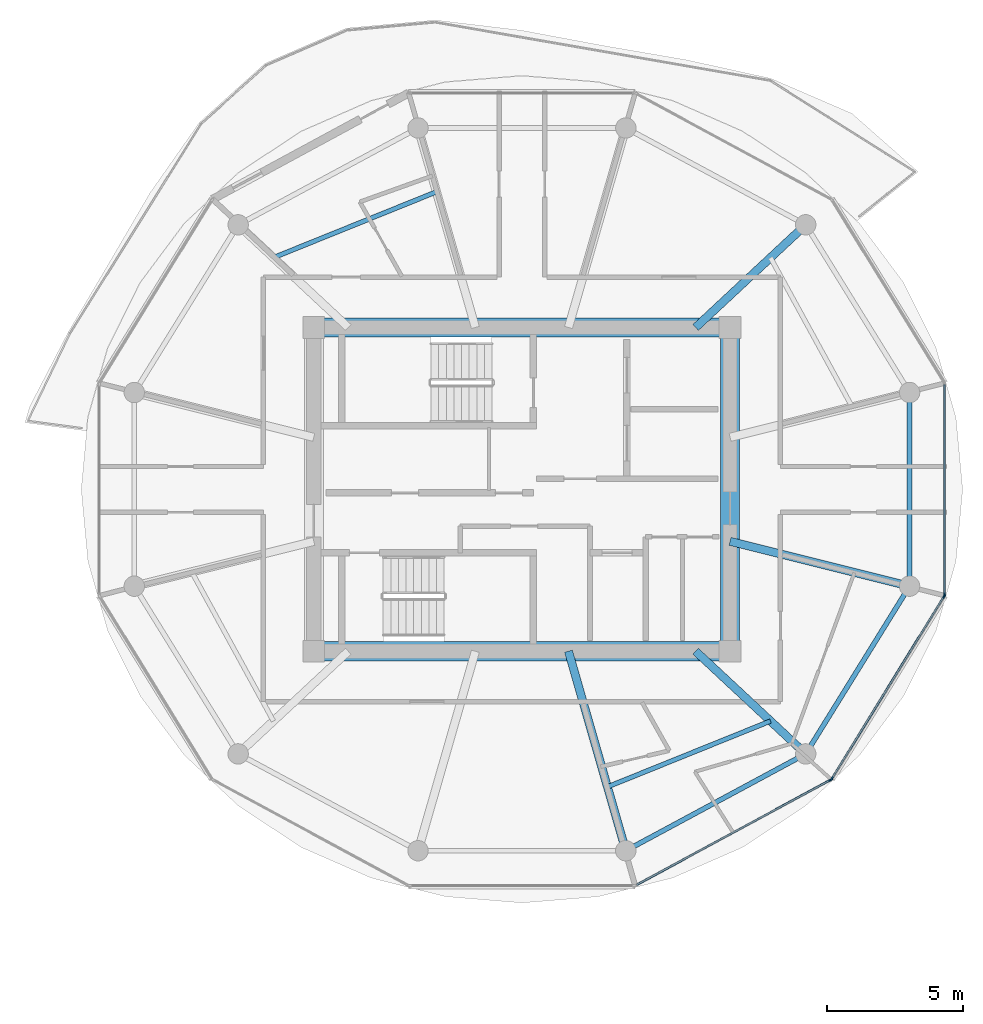
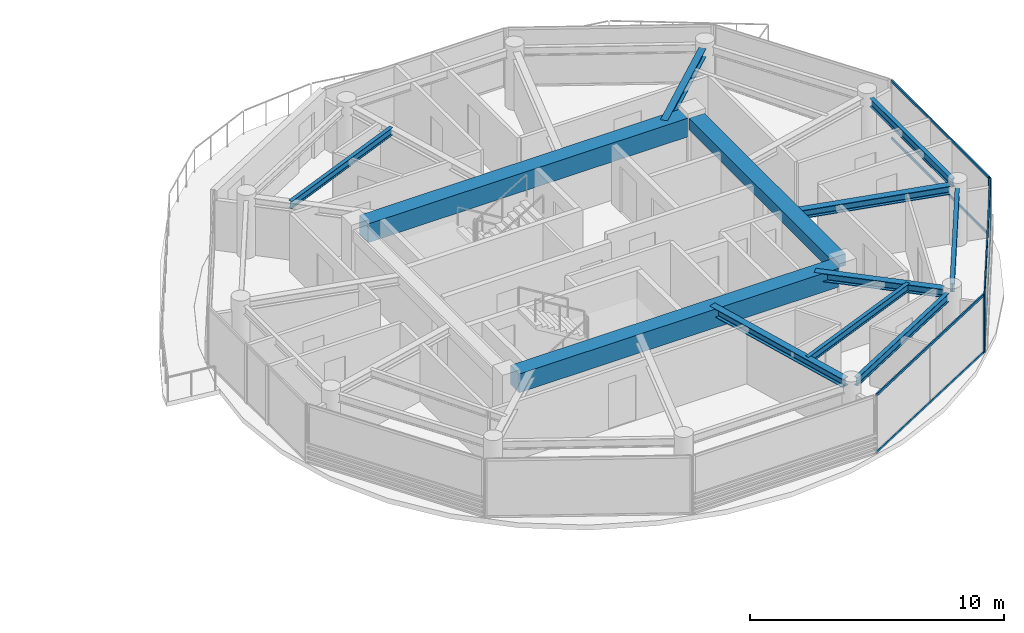
# One storey, part 6 of 19: 12 beams, 10 members, 3 elements without a shape of their own.
"""IFC4 building model written with IfcOpenShell, lengths in metres."""

from ifc_helpers import new_model, si_unit, direction, frame, origin, origin_2d, place, context, subcontext, project, spatial, rectangle, i_section, extrude, source, transform, mapped, material, layer, layer_set, material_profile, profile_set, type_object, type_shapes, element, aggregate, save


model = new_model("IFC4")

# Units and contexts
model_context = context("Model", 3, precision=1e-05, world=origin(), true_north=direction((0.0, 1.0)))
body_context = subcontext(model_context, "Body", "Model", "MODEL_VIEW")
ifc_project = project(units=[si_unit("LENGTHUNIT", "METRE"), si_unit("AREAUNIT", "SQUARE_METRE"), si_unit("VOLUMEUNIT", "CUBIC_METRE"), si_unit("PLANEANGLEUNIT", "RADIAN"), si_unit("MASSUNIT", "GRAM", prefix="KILO")], contexts=[model_context])

# Site, building, storey
site_placement = place(None, origin())
site = spatial("IfcSite", under=ifc_project, at=site_placement, CompositionType="ELEMENT")
building_placement = place(site_placement, origin())
building = spatial("IfcBuilding", under=site, at=building_placement, Name="Norrkilde Senior Care Towers", CompositionType="ELEMENT")
storey_placement = place(building_placement, frame((0.0, 0.0, 238.300048828125)))
storey = spatial("IfcBuildingStorey", under=building, at=storey_placement, Name="L74", CompositionType="ELEMENT", Elevation=238.300048828125)

# Beams
ifc_material_1 = material(Name="Concrete C60/75", Category="concrete")
ifc_material_profile_1 = material_profile(ifc_material_1, rectangle(XDim=0.699951171875, YDim=0.89990234375, at=origin_2d()), Name="RC BM 700x900")
ifc_profile_set_1 = profile_set([ifc_material_profile_1], Name="Concrete C60/75")
beam_type_1 = type_object("IfcBeamType", Name="Core Coupling Girder 700x900", PredefinedType="USERDEFINED", material=ifc_profile_set_1)
shared_shape_1 = source(origin(), body_context, "Body", "SweptSolid", [
    extrude(rectangle(XDim=0.699951171875, YDim=0.89990234375, at=origin_2d()), origin(), (0.0, 0.0, 1.0), 14.5400390625),
])
type_shapes(beam_type_1, [shared_shape_1])
for number, where, z_axis, x_axis, name in (
    (1, (20.72998046875, 5.949951171875, 2.35986328125), (1.0, 0.0, 0.0), (0.0, 1.0, 0.0), "L74 Core E N Coupling Girder"),
    (2, (20.72998046875, -5.949951171875, 2.35986328125), (1.0, 0.0, 0.0), (0.0, 1.0, 0.0), "L74 Core E S Coupling Girder"),
):
    element("IfcBeam", number, at=place(storey_placement, frame(where, z_axis=z_axis, x_axis=x_axis)), inside=storey, type_object=beam_type_1, Name=name, ObjectType="GIRDER", PredefinedType="USERDEFINED", context=body_context, shape_type="MappedRepresentation", body=[
        mapped(shared_shape_1, transform((0.0, 0.0, 0.0), x_axis=(1.0, 0.0, 0.0), y_axis=(0.0, 1.0, 0.0), z_axis=(0.0, 0.0, 1.0), scale=1.0)),
    ])
ifc_material_profile_2 = material_profile(ifc_material_1, rectangle(XDim=0.699951171875, YDim=0.550048828125, at=origin_2d()), Name="RC BM 700x550")
ifc_profile_set_2 = profile_set([ifc_material_profile_2], Name="Concrete C60/75")
beam_type_2 = type_object("IfcBeamType", Name="Core Portal Coupling Beam 700x550", PredefinedType="USERDEFINED", material=ifc_profile_set_2)
shared_shape_2 = source(origin(), body_context, "Body", "SweptSolid", [
    extrude(rectangle(XDim=0.699951171875, YDim=0.550048828125, at=origin_2d()), origin(), (0.0, 0.0, 1.0), 11.14013671875),
])
type_shapes(beam_type_2, [shared_shape_2])
beam_1_placement = place(storey_placement, frame((35.64990234375, -5.570068359375, 2.534912109375), z_axis=(0.0, 1.0, 0.0), x_axis=(-1.0, 0.0, 0.0)))
element("IfcBeam", 3, at=beam_1_placement, inside=storey, type_object=beam_type_2, Name="L74 Core E E Coupling Girder", ObjectType="GIRDER", PredefinedType="USERDEFINED", context=body_context, shape_type="MappedRepresentation", body=[
    mapped(shared_shape_2, transform((0.0, 0.0, 0.0), x_axis=(1.0, 0.0, 0.0), y_axis=(0.0, 1.0, 0.0), z_axis=(0.0, 0.0, 1.0), scale=1.0)),
])
ifc_material_2 = material(Name="Steel S355", Category="steel")
ifc_material_profile_3 = material_profile(ifc_material_2, i_section(OverallWidth=0.179931640625, OverallDepth=0.39990234375, WebThickness=0.008544921875, FlangeThickness=0.013427734375, FilletRadius=0.02099609375, at=origin_2d()), Name="IPE 400")
ifc_profile_set_3 = profile_set([ifc_material_profile_3], Name="Steel S355")
beam_type_3 = type_object("IfcBeamType", Name="Perimeter Ring Spandrel Z4 IPE400", PredefinedType="SPANDREL", material=ifc_profile_set_3)
shared_shape_3 = source(origin(), body_context, "Body", "SweptSolid", [
    extrude(i_section(OverallWidth=0.179931640625, OverallDepth=0.39990234375, WebThickness=0.008544921875, FlangeThickness=0.013427734375, FilletRadius=0.02099609375, at=origin_2d()), origin(), (0.0, 0.0, 1.0), 6.58056640625),
])
beam_2_placement = place(storey_placement, frame((38.606201171875, -9.43798828125, 2.60986328125), z_axis=(0.526529583789, 0.850156807533, 0.0), x_axis=(-0.850156807533, 0.526529583789, 0.0)))
element("IfcBeam", 4, at=beam_2_placement, inside=storey, type_object=beam_type_3, Name="L74 Drum E Perimeter Spandrel 11", PredefinedType="SPANDREL", context=body_context, shape_type="MappedRepresentation", body=[
    mapped(shared_shape_3, transform((0.0, 0.0, 0.0), x_axis=(1.0, 0.0, 0.0), y_axis=(0.0, 1.0, 0.0), z_axis=(0.0, 0.0, 1.0), scale=1.0)),
])
ifc_material_profile_4 = material_profile(ifc_material_2, i_section(OverallWidth=0.300048828125, OverallDepth=0.39990234375, WebThickness=0.013427734375, FlangeThickness=0.02392578125, FilletRadius=0.027099609375, at=origin_2d()), Name="HEB 400")
ifc_profile_set_4 = profile_set([ifc_material_profile_4], Name="Steel S355")
beam_type_4 = type_object("IfcBeamType", Name="Radial Floor Beam Z4 HEB400", PredefinedType="BEAM", material=ifc_profile_set_4)
shared_shape_4 = source(origin(), body_context, "Body", "SweptSolid", [
    extrude(i_section(OverallWidth=0.300048828125, OverallDepth=0.39990234375, WebThickness=0.013427734375, FlangeThickness=0.02392578125, FilletRadius=0.027099609375, at=origin_2d()), origin(), (0.0, 0.0, 1.0), 6.465087890625),
])
beam_3_placement = place(storey_placement, frame((35.64990234375, -1.910888671875, 2.60986328125), z_axis=(0.970195788563, -0.242322371758, 0.0), x_axis=(0.242322371758, 0.970195788563, 0.0)))
element("IfcBeam", 5, at=beam_3_placement, inside=storey, type_object=beam_type_4, Name="L74 Drum E Radial Floor Beam 12", PredefinedType="BEAM", context=body_context, shape_type="MappedRepresentation", body=[
    mapped(shared_shape_4, transform((0.0, 0.0, 0.0), x_axis=(1.0, 0.0, 0.0), y_axis=(0.0, 1.0, 0.0), z_axis=(0.0, 0.0, 1.0), scale=1.0)),
])
shared_shape_5 = source(origin(), body_context, "Body", "SweptSolid", [
    extrude(i_section(OverallWidth=0.179931640625, OverallDepth=0.39990234375, WebThickness=0.008544921875, FlangeThickness=0.013427734375, FilletRadius=0.02099609375, at=origin_2d()), origin(), (0.0, 0.0, 1.0), 6.839111328125),
])
beam_4_placement = place(storey_placement, frame((32.112548828125, -13.122802734375, 2.60986328125), z_axis=(0.880563930732, 0.473927382511, 0.0), x_axis=(-0.473927382511, 0.880563930732, 0.0)))
element("IfcBeam", 6, at=beam_4_placement, inside=storey, type_object=beam_type_3, Name="L74 Drum E Perimeter Spandrel 10", PredefinedType="SPANDREL", context=body_context, shape_type="MappedRepresentation", body=[
    mapped(shared_shape_5, transform((0.0, 0.0, 0.0), x_axis=(1.0, 0.0, 0.0), y_axis=(0.0, 1.0, 0.0), z_axis=(0.0, 0.0, 1.0), scale=1.0)),
])
shared_shape_6 = source(origin(), body_context, "Body", "SweptSolid", [
    extrude(i_section(OverallWidth=0.300048828125, OverallDepth=0.39990234375, WebThickness=0.013427734375, FlangeThickness=0.02392578125, FilletRadius=0.027099609375, at=origin_2d()), origin(), (0.0, 0.0, 1.0), 5.197998046875),
])
for number, where, z_axis, x_axis, name in (
    (7, (34.3828125, 5.949951171875, 2.60986328125), (0.731448749334, 0.681896419625, 0.0), (-0.681896419625, 0.731448749334, 0.0), "L74 Drum E Radial Floor Beam 02"),
    (8, (34.3828125, -5.949951171875, 2.60986328125), (0.731448749334, -0.681896419625, 0.0), (0.681896419625, 0.731448749334, 0.0), "L74 Drum E Radial Floor Beam 11"),
):
    element("IfcBeam", number, at=place(storey_placement, frame(where, z_axis=z_axis, x_axis=x_axis)), inside=storey, type_object=beam_type_4, Name=name, PredefinedType="BEAM", context=body_context, shape_type="MappedRepresentation", body=[
        mapped(shared_shape_6, transform((0.0, 0.0, 0.0), x_axis=(1.0, 0.0, 0.0), y_axis=(0.0, 1.0, 0.0), z_axis=(0.0, 0.0, 1.0), scale=1.0)),
    ])
shared_shape_7 = source(origin(), body_context, "Body", "SweptSolid", [
    extrude(i_section(OverallWidth=0.300048828125, OverallDepth=0.39990234375, WebThickness=0.013427734375, FlangeThickness=0.02392578125, FilletRadius=0.027099609375, at=origin_2d()), origin(), (0.0, 0.0, 1.0), 7.29345703125),
])
type_shapes(beam_type_4, [shared_shape_4, shared_shape_6, shared_shape_7])
beam_5_placement = place(storey_placement, frame((29.710205078125, -5.949951171875, 2.60986328125), z_axis=(0.276263751906, -0.961081858836, 0.0), x_axis=(0.961081858836, 0.276263751906, 0.0)))
element("IfcBeam", 9, at=beam_5_placement, inside=storey, type_object=beam_type_4, Name="L74 Drum E Radial Floor Beam 10", PredefinedType="BEAM", context=body_context, shape_type="MappedRepresentation", body=[
    mapped(shared_shape_7, transform((0.0, 0.0, 0.0), x_axis=(1.0, 0.0, 0.0), y_axis=(0.0, 1.0, 0.0), z_axis=(0.0, 0.0, 1.0), scale=1.0)),
])
shared_shape_8 = source(origin(), body_context, "Body", "SweptSolid", [
    extrude(i_section(OverallWidth=0.179931640625, OverallDepth=0.39990234375, WebThickness=0.008544921875, FlangeThickness=0.013427734375, FilletRadius=0.02099609375, at=origin_2d()), origin(), (0.0, 0.0, 1.0), 6.44775390625),
])
type_shapes(beam_type_3, [shared_shape_3, shared_shape_5, shared_shape_8])
beam_6_placement = place(storey_placement, frame((42.247314453125, -3.223876953125, 2.60986328125), z_axis=(0.0, 1.0, 0.0), x_axis=(-1.0, 0.0, 0.0)))
element("IfcBeam", 10, at=beam_6_placement, inside=storey, type_object=beam_type_3, Name="L74 Drum E Perimeter Spandrel 12", PredefinedType="SPANDREL", context=body_context, shape_type="MappedRepresentation", body=[
    mapped(shared_shape_8, transform((0.0, 0.0, 0.0), x_axis=(1.0, 0.0, 0.0), y_axis=(0.0, 1.0, 0.0), z_axis=(0.0, 0.0, 1.0), scale=1.0)),
])
ifc_material_profile_5 = material_profile(ifc_material_2, i_section(OverallWidth=0.169921875, OverallDepth=0.360107421875, WebThickness=0.008056640625, FlangeThickness=0.0126953125, FilletRadius=0.01806640625, at=origin_2d()), Name="IPE 360")
ifc_profile_set_5 = profile_set([ifc_material_profile_5], Name="Steel S355")
beam_type_5 = type_object("IfcBeamType", Name="Secondary Floor Joist IPE360", PredefinedType="JOIST", material=ifc_profile_set_5)
shared_shape_9 = source(origin(), body_context, "Body", "SweptSolid", [
    extrude(i_section(OverallWidth=0.169921875, OverallDepth=0.360107421875, WebThickness=0.008056640625, FlangeThickness=0.0126953125, FilletRadius=0.01806640625, at=origin_2d()), origin(), (0.0, 0.0, 1.0), 6.461669921875),
])
type_shapes(beam_type_5, [shared_shape_9])
for number, where, z_axis, x_axis, name in (
    (11, (24.856689453125, 10.935302734375, 2.6298828125), (-0.927225942298, -0.374502405772, 0.0), (0.374502405772, -0.927225942298, 0.0), "L74 Drum E Secondary Floor Joist 2"),
    (12, (31.143310546875, -10.935302734375, 2.6298828125), (0.927225942298, 0.374502405772, 0.0), (-0.374502405772, 0.927225942298, 0.0), "L74 Drum E Secondary Floor Joist 4"),
):
    element("IfcBeam", number, at=place(storey_placement, frame(where, z_axis=z_axis, x_axis=x_axis)), inside=storey, type_object=beam_type_5, Name=name, PredefinedType="JOIST", context=body_context, shape_type="MappedRepresentation", body=[
        mapped(shared_shape_9, transform((0.0, 0.0, 0.0), x_axis=(1.0, 0.0, 0.0), y_axis=(0.0, 1.0, 0.0), z_axis=(0.0, 0.0, 1.0), scale=1.0)),
    ])

# Curtain wall, member
ifc_material_3 = material(Name="Triple Low-E Insulated Glazing", Category="glass")
ifc_layer = layer(ifc_material_3, 0.18505859375)
ifc_layer_set = layer_set([ifc_layer], Name="Triple Low-E Insulated Glazing")
curtain_wall_type = type_object("IfcCurtainWallType", Name="CW6 Zone 4 Crown Pavilion Curtain Wall", PredefinedType="NOTDEFINED", material=ifc_layer_set)
curtain_wall_1_placement = place(storey_placement, origin())
curtain_wall_1 = element("IfcCurtainWall", 13, at=curtain_wall_1_placement, inside=storey, type_object=curtain_wall_type, Name="L74 Drum E Curtain Wall 09", PredefinedType="NOTDEFINED")
ifc_material_4 = material(Name="Anodised Aluminium", Category="aluminium")
ifc_material_profile_6 = material_profile(ifc_material_4, rectangle(XDim=0.06494140625, YDim=0.14990234375, at=origin_2d()), Name="ALU MULL 65x150")
ifc_profile_set_6 = profile_set([ifc_material_profile_6], Name="Anodised Aluminium")
member_type_1 = type_object("IfcMemberType", Name="Curtain Wall Mullion Z3-Z4 65x150", PredefinedType="MULLION", material=ifc_profile_set_6)
shared_shape_10 = source(origin(), body_context, "Body", "SweptSolid", [
    extrude(rectangle(XDim=0.06494140625, YDim=0.14990234375, at=origin_2d()), origin(), (0.0, 0.0, 1.0), 2.81005859375),
])
type_shapes(member_type_1, [shared_shape_10])
member_1_placement = place(storey_placement, frame((39.341796875, -10.6787109375, 0.0), z_axis=(0.0, 0.0, 1.0), x_axis=(0.476132676136, -0.879373455772, 0.0)))
member_1 = element("IfcMember", 14, at=member_1_placement, type_object=member_type_1, Name="CW-6 mullion 1", PredefinedType="MULLION", context=body_context, shape_type="MappedRepresentation", body=[
    mapped(shared_shape_10, transform((0.0, 0.0, 0.0), x_axis=(1.0, 0.0, 0.0), y_axis=(0.0, 1.0, 0.0), z_axis=(0.0, 0.0, 1.0), scale=1.0)),
])

# Curtain wall, members
curtain_wall_2_placement = place(storey_placement, origin())
curtain_wall_2 = element("IfcCurtainWall", 15, at=curtain_wall_2_placement, inside=storey, type_object=curtain_wall_type, Name="L74 Drum E Curtain Wall 10", PredefinedType="NOTDEFINED")
member_2_placement = place(storey_placement, frame((43.51513671875, -3.9306640625, 0.0), z_axis=(0.0, 0.0, 1.0), x_axis=(0.851562727283, -0.524252726748, 0.0)))
member_2 = element("IfcMember", 16, at=member_2_placement, type_object=member_type_1, Name="CW-6 mullion 1", PredefinedType="MULLION", context=body_context, shape_type="MappedRepresentation", body=[
    mapped(shared_shape_10, transform((0.0, 0.0, 0.0), x_axis=(1.0, 0.0, 0.0), y_axis=(0.0, 1.0, 0.0), z_axis=(0.0, 0.0, 1.0), scale=1.0)),
])
member_3_placement = place(storey_placement, frame((39.38720703125, -10.635498046875, 0.0), z_axis=(0.0, 0.0, 1.0), x_axis=(0.851562727283, -0.524252726748, 0.0)))
member_3 = element("IfcMember", 17, at=member_3_placement, type_object=member_type_1, Name="CW-6 mullion 2", PredefinedType="MULLION", context=body_context, shape_type="MappedRepresentation", body=[
    mapped(shared_shape_10, transform((0.0, 0.0, 0.0), x_axis=(1.0, 0.0, 0.0), y_axis=(0.0, 1.0, 0.0), z_axis=(0.0, 0.0, 1.0), scale=1.0)),
])

# Curtain wall, member
curtain_wall_3_placement = place(storey_placement, origin())
curtain_wall_3 = element("IfcCurtainWall", 18, at=curtain_wall_3_placement, inside=storey, type_object=curtain_wall_type, Name="L74 Drum E Curtain Wall 11", PredefinedType="NOTDEFINED")
member_4_placement = place(storey_placement, frame((43.531982421875, -3.87060546875, 0.0), z_axis=(0.0, 0.0, 1.0), x_axis=(1.0, 0.0, 0.0)))
member_4 = element("IfcMember", 19, at=member_4_placement, type_object=member_type_1, Name="CW-6 mullion 2", PredefinedType="MULLION", context=body_context, shape_type="MappedRepresentation", body=[
    mapped(shared_shape_10, transform((0.0, 0.0, 0.0), x_axis=(1.0, 0.0, 0.0), y_axis=(0.0, 1.0, 0.0), z_axis=(0.0, 0.0, 1.0), scale=1.0)),
])

# Member
ifc_material_profile_7 = material_profile(ifc_material_4, rectangle(XDim=0.06005859375, YDim=0.1201171875, at=origin_2d()), Name="ALU TRAN 60x120")
ifc_profile_set_7 = profile_set([ifc_material_profile_7], Name="Anodised Aluminium")
member_type_2 = type_object("IfcMemberType", Name="Curtain Wall Transom Typical 60x120", PredefinedType="USERDEFINED", material=ifc_profile_set_7)
shared_shape_11 = source(origin(), body_context, "Body", "SweptSolid", [
    extrude(rectangle(XDim=0.06005859375, YDim=0.1201171875, at=origin_2d()), origin(), (0.0, 0.0, 1.0), 7.808837890625),
])
member_5_placement = place(storey_placement, frame((43.498046875, -3.958251953125, 0.030029296875), z_axis=(-0.524250924101, -0.851563837055, 0.0), x_axis=(0.851563837055, -0.524250924101, 0.0)))
member_5 = element("IfcMember", 20, at=member_5_placement, type_object=member_type_2, Name="CW-6 transom 1.1", ObjectType="TRANSOM", PredefinedType="USERDEFINED", context=body_context, shape_type="MappedRepresentation", body=[
    mapped(shared_shape_11, transform((0.0, 0.0, 0.0), x_axis=(1.0, 0.0, 0.0), y_axis=(0.0, 1.0, 0.0), z_axis=(0.0, 0.0, 1.0), scale=1.0)),
])

member_6_placement = place(storey_placement, frame((43.498046875, -3.958251953125, 2.780029296875), z_axis=(-0.524250924101, -0.851563837055, 0.0), x_axis=(0.851563837055, -0.524250924101, 0.0)))
member_6 = element("IfcMember", 21, at=member_6_placement, type_object=member_type_2, Name="CW-6 transom 1.2", ObjectType="TRANSOM", PredefinedType="USERDEFINED", context=body_context, shape_type="MappedRepresentation", body=[
    mapped(shared_shape_11, transform((0.0, 0.0, 0.0), x_axis=(1.0, 0.0, 0.0), y_axis=(0.0, 1.0, 0.0), z_axis=(0.0, 0.0, 1.0), scale=1.0)),
])

aggregate(curtain_wall_2, [member_2, member_3, member_5, member_6])

shared_shape_12 = source(origin(), body_context, "Body", "SweptSolid", [
    extrude(rectangle(XDim=0.06005859375, YDim=0.1201171875, at=origin_2d()), origin(), (0.0, 0.0, 1.0), 8.0673828125),
])
member_7_placement = place(storey_placement, frame((39.313232421875, -10.694091796875, 0.030029296875), z_axis=(-0.87937750072, -0.476125205411, 0.0), x_axis=(0.476125205411, -0.87937750072, 0.0)))
member_7 = element("IfcMember", 22, at=member_7_placement, type_object=member_type_2, Name="CW-6 transom 1.1", ObjectType="TRANSOM", PredefinedType="USERDEFINED", context=body_context, shape_type="MappedRepresentation", body=[
    mapped(shared_shape_12, transform((0.0, 0.0, 0.0), x_axis=(1.0, 0.0, 0.0), y_axis=(0.0, 1.0, 0.0), z_axis=(0.0, 0.0, 1.0), scale=1.0)),
])

member_8_placement = place(storey_placement, frame((39.313232421875, -10.694091796875, 2.780029296875), z_axis=(-0.87937750072, -0.476125205411, 0.0), x_axis=(0.476125205411, -0.87937750072, 0.0)))
member_8 = element("IfcMember", 23, at=member_8_placement, type_object=member_type_2, Name="CW-6 transom 1.2", ObjectType="TRANSOM", PredefinedType="USERDEFINED", context=body_context, shape_type="MappedRepresentation", body=[
    mapped(shared_shape_12, transform((0.0, 0.0, 0.0), x_axis=(1.0, 0.0, 0.0), y_axis=(0.0, 1.0, 0.0), z_axis=(0.0, 0.0, 1.0), scale=1.0)),
])

aggregate(curtain_wall_1, [member_1, member_7, member_8])

shared_shape_13 = source(origin(), body_context, "Body", "SweptSolid", [
    extrude(rectangle(XDim=0.06005859375, YDim=0.1201171875, at=origin_2d()), origin(), (0.0, 0.0, 1.0), 7.67578125),
])
type_shapes(member_type_2, [shared_shape_11, shared_shape_12, shared_shape_13])
member_9_placement = place(storey_placement, frame((43.531982421875, 3.837890625, 0.030029296875), z_axis=(0.0, -1.0, 0.0), x_axis=(1.0, 0.0, 0.0)))
member_9 = element("IfcMember", 24, at=member_9_placement, type_object=member_type_2, Name="CW-6 transom 1.1", ObjectType="TRANSOM", PredefinedType="USERDEFINED", context=body_context, shape_type="MappedRepresentation", body=[
    mapped(shared_shape_13, transform((0.0, 0.0, 0.0), x_axis=(1.0, 0.0, 0.0), y_axis=(0.0, 1.0, 0.0), z_axis=(0.0, 0.0, 1.0), scale=1.0)),
])

member_10_placement = place(storey_placement, frame((43.531982421875, 3.837890625, 2.780029296875), z_axis=(0.0, -1.0, 0.0), x_axis=(1.0, 0.0, 0.0)))
member_10 = element("IfcMember", 25, at=member_10_placement, type_object=member_type_2, Name="CW-6 transom 1.2", ObjectType="TRANSOM", PredefinedType="USERDEFINED", context=body_context, shape_type="MappedRepresentation", body=[
    mapped(shared_shape_13, transform((0.0, 0.0, 0.0), x_axis=(1.0, 0.0, 0.0), y_axis=(0.0, 1.0, 0.0), z_axis=(0.0, 0.0, 1.0), scale=1.0)),
])

aggregate(curtain_wall_3, [member_4, member_9, member_10])

save(model, "model.ifc")
